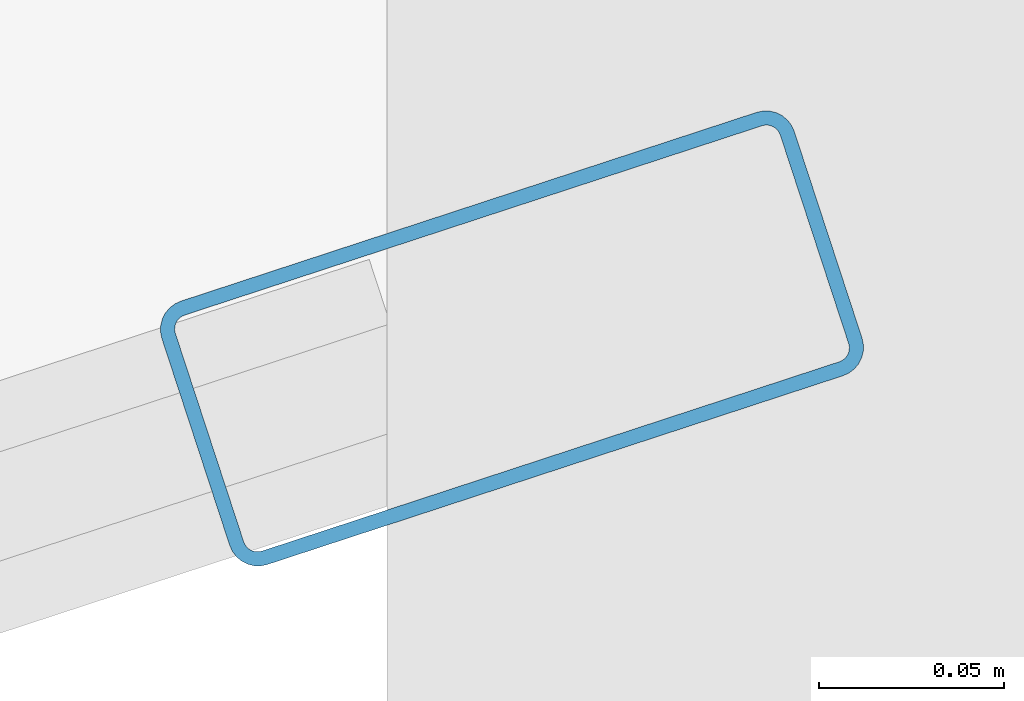
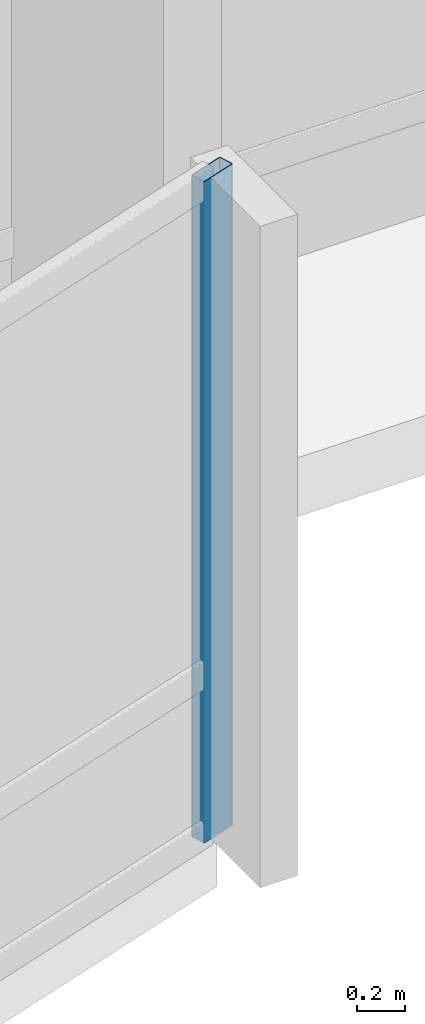
# One storey, part 10 of 34: 1 member, 1 element without a shape of its own.
"""IFC4 building model written with IfcOpenShell, lengths in metres."""

import ifcopenshell
import ifcopenshell.guid

model = None  # the IFC model being written
_history = None  # IfcOwnerHistory: only IFC2X3 demands one
_inside = {}  # id of a spatial element -> (the spatial element, [elements in it])
_under = {}  # id of a project, library or spatial element -> (it, [spatial elements below it])
_declared = {}  # id of a project -> (the project, [libraries it declares])
_typed = {}  # id of a type object -> (the type object, [elements of that type])
_made_of = {}  # id of a material, layer set ... -> (it, [elements and type objects made of it])


def new_model(schema):
    """Start an empty IFC model of exactly this schema.

    Asked for "IFC4X3", IfcOpenShell would pick the latest addendum, in which some entities
    have other attributes; the version numbers below select the first issue.
    IFC2X3 requires an IfcOwnerHistory on every rooted entity: one is made here for all.
    """
    global model, _history
    if schema == "IFC4X3":
        model = ifcopenshell.file(schema_version=(4, 3, 0, 0))
    else:
        model = ifcopenshell.file(schema=schema)
    _inside.clear()
    _under.clear()
    _declared.clear()
    _typed.clear()
    _made_of.clear()
    _history = None
    if model.schema == "IFC2X3":
        org = make("IfcOrganization", Name="unknown")
        user = make(
            "IfcPersonAndOrganization",
            ThePerson=make("IfcPerson", FamilyName="unknown"),
            TheOrganization=org,
        )
        app = make(
            "IfcApplication",
            ApplicationDeveloper=org,
            Version="unknown",
            ApplicationFullName="unknown",
            ApplicationIdentifier="unknown",
        )
        _history = make(
            "IfcOwnerHistory",
            OwningUser=user,
            OwningApplication=app,
            ChangeAction="ADDED",
            CreationDate=0,
        )
    return model


def make(cls, **values):
    """One entity of the class cls with the attributes given. An attribute that is None is left unset."""
    return model.create_entity(
        cls, **{name: value for name, value in values.items() if value is not None}
    )


def rooted(cls, **values):
    """An entity with a GlobalId (a new one), such as an element, a storey or a relation."""
    return make(cls, GlobalId=ifcopenshell.guid.new(), OwnerHistory=_history, **values)


def si_unit(unit_type, name, prefix=None):
    """IfcSIUnit, for example si_unit("LENGTHUNIT", "METRE", prefix="MILLI")."""
    return make("IfcSIUnit", UnitType=unit_type, Prefix=prefix, Name=name)


def assignment(units):
    """IfcUnitAssignment: the units of a project."""
    return None if units is None else make("IfcUnitAssignment", Units=units)


def point(xyz):
    """IfcCartesianPoint."""
    return None if xyz is None else make("IfcCartesianPoint", Coordinates=xyz)


def direction(xyz):
    """IfcDirection."""
    return None if xyz is None else make("IfcDirection", DirectionRatios=xyz)


def frame(location, z_axis=None, x_axis=None):
    """IfcAxis2Placement3D, a coordinate frame: its origin and axes. An axis left out is left unset."""
    return make(
        "IfcAxis2Placement3D",
        Location=point(location),
        Axis=direction(z_axis),
        RefDirection=direction(x_axis),
    )


def frame_2d(location, x_axis=None):
    """IfcAxis2Placement2D, a coordinate frame in the plane: its origin and x axis."""
    return make(
        "IfcAxis2Placement2D", Location=point(location), RefDirection=direction(x_axis)
    )


def origin():
    """The frame at (0, 0, 0) with its axes left unset."""
    return frame((0.0, 0.0, 0.0))


def origin_2d():
    """The frame at (0, 0) in the plane with its x axis left unset."""
    return frame_2d((0.0, 0.0))


def place(relative_to, where):
    """IfcLocalPlacement: puts the frame where relative to a parent placement (None: the world)."""
    return make(
        "IfcLocalPlacement", PlacementRelTo=relative_to, RelativePlacement=where
    )


def context(
    kind, dimensions, precision=None, world=None, true_north=None, identifier=None
):
    """IfcGeometricRepresentationContext, for example the 3D "Model" context."""
    return make(
        "IfcGeometricRepresentationContext",
        ContextIdentifier=identifier,
        ContextType=kind,
        CoordinateSpaceDimension=dimensions,
        Precision=precision,
        WorldCoordinateSystem=world,
        TrueNorth=true_north,
    )


def subcontext(parent, identifier, kind, view, scale=None):
    """IfcGeometricRepresentationSubContext, for example "Body" below "Model"."""
    return make(
        "IfcGeometricRepresentationSubContext",
        ContextIdentifier=identifier,
        ContextType=kind,
        ParentContext=parent,
        TargetScale=scale,
        TargetView=view,
    )


def project(units=None, contexts=None):
    """IfcProject with its units and contexts."""
    return rooted(
        "IfcProject",
        Name="project",
        RepresentationContexts=contexts,
        UnitsInContext=assignment(units),
    )


def spatial(cls, under=None, at=None, **own):
    """A site, building, storey or space (cls), placed at a placement, below another one or the project."""
    s = rooted(cls, ObjectPlacement=at, **own)
    if under is not None:
        _under.setdefault(under.id(), (under, []))[1].append(s)
    return s


def profile(cls, at=None, kind="AREA", **sizes):
    """A parametric profile (cls). Its sizes go by their IFC names, for example OverallWidth=200.0."""
    return make(cls, ProfileType=kind, Position=at, **sizes)


def hollow_rectangle(**sizes):
    """IfcRectangleHollowProfileDef."""
    return profile("IfcRectangleHollowProfileDef", **sizes)


def extrude(swept, where, along, depth):
    """IfcExtrudedAreaSolid: the profile swept, set in the frame where, extruded along a direction by depth."""
    return make(
        "IfcExtrudedAreaSolid",
        SweptArea=swept,
        Position=where,
        ExtrudedDirection=direction(along),
        Depth=depth,
    )


def shape(context_of_items, identifier, shape_type, items):
    """IfcShapeRepresentation: the items that make up one representation, for example the "Body"."""
    return make(
        "IfcShapeRepresentation",
        ContextOfItems=context_of_items,
        RepresentationIdentifier=identifier,
        RepresentationType=shape_type,
        Items=items,
    )


def material(Name=None, Category=None):
    """IfcMaterial."""
    return make("IfcMaterial", Name=Name, Category=Category)


def layer(
    of_material, thickness, ventilated=None, Name=None, Category=None, Priority=None
):
    """IfcMaterialLayer: one layer of a wall or slab, of a material (None: an air gap)."""
    return make(
        "IfcMaterialLayer",
        Material=of_material,
        LayerThickness=thickness,
        IsVentilated=ventilated,
        Name=Name,
        Category=Category,
        Priority=Priority,
    )


def layer_set(layers, Name=None):
    """IfcMaterialLayerSet."""
    return make("IfcMaterialLayerSet", MaterialLayers=layers, LayerSetName=Name)


def material_profile(
    of_material, cross_section, Name=None, Category=None, Priority=None
):
    """IfcMaterialProfile: a cross section and its material."""
    return make(
        "IfcMaterialProfile",
        Name=Name,
        Material=of_material,
        Profile=cross_section,
        Priority=Priority,
        Category=Category,
    )


def profile_set(profiles, Name=None, composite=None):
    """IfcMaterialProfileSet."""
    return make(
        "IfcMaterialProfileSet",
        Name=Name,
        MaterialProfiles=profiles,
        CompositeProfile=composite,
    )


def made_of(thing, what):
    """Note that an element or type object is made of a material, layer set ...; save() writes the relation."""
    if what is not None:
        _made_of.setdefault(what.id(), (what, []))[1].append(thing)
    return thing


def type_object(cls, material=None, **own):
    """A type object (cls), such as IfcWallType, which elements share."""
    return made_of(rooted(cls, **own), material)


def element(
    cls,
    number,
    at=None,
    inside=None,
    cuts=None,
    type_object=None,
    material=None,
    context=None,
    identifier="Body",
    shape_type=None,
    held_by="IfcProductDefinitionShape",
    body=None,
    shapes=None,
    **own,
):
    """One element of the class cls, such as IfcWall. Its Tag is "e" and its number.

    at: its placement. inside: the storey or other place that contains it. cuts: it is an
    opening in that element (IfcRelVoidsElement). A single representation is given by context,
    identifier, shape_type and body (its items); several are given by shapes. held_by: the class
    of the entity that holds the representations. save() writes the other relations.
    """
    e = rooted(cls, Tag="e%d" % number, ObjectPlacement=at, **own)
    if body is not None:
        shapes = [shape(context, identifier, shape_type, body)]
    if shapes is not None:
        e.Representation = make(held_by, Representations=shapes)
    if inside is not None:
        _inside.setdefault(inside.id(), (inside, []))[1].append(e)
    if cuts is not None:
        rooted(
            "IfcRelVoidsElement", RelatingBuildingElement=cuts, RelatedOpeningElement=e
        )
    if type_object is not None:
        _typed.setdefault(type_object.id(), (type_object, []))[1].append(e)
    return made_of(e, material)


def aggregate(whole, parts):
    """IfcRelAggregates: a whole, such as a stair, and the parts it consists of."""
    return rooted("IfcRelAggregates", RelatingObject=whole, RelatedObjects=parts)


def save(model, path):
    """Write the relations noted so far, then the file.

    IfcRelAggregates (storeys below a building ...), IfcRelContainedInSpatialStructure (elements
    in a storey), IfcRelDefinesByType, IfcRelAssociatesMaterial and IfcRelDeclares: one each for
    every whole, place, type object, material and project.
    """
    for whole, parts in _under.values():
        aggregate(whole, parts)
    for where, things in _inside.values():
        rooted(
            "IfcRelContainedInSpatialStructure",
            RelatedElements=things,
            RelatingStructure=where,
        )
    for kind, things in _typed.values():
        rooted("IfcRelDefinesByType", RelatedObjects=things, RelatingType=kind)
    for what, things in _made_of.values():
        rooted("IfcRelAssociatesMaterial", RelatedObjects=things, RelatingMaterial=what)
    for by, libraries in _declared.values():
        rooted("IfcRelDeclares", RelatingContext=by, RelatedDefinitions=libraries)
    model.write(path)


model = new_model("IFC4")

# Units and contexts
model_context = context("Model", 3, precision=1e-05, world=origin(), true_north=direction((0.0, 1.0)))
body_context = subcontext(model_context, "Body", "Model", "MODEL_VIEW")
ifc_project = project(units=[si_unit("LENGTHUNIT", "METRE"), si_unit("AREAUNIT", "SQUARE_METRE"), si_unit("VOLUMEUNIT", "CUBIC_METRE"), si_unit("PLANEANGLEUNIT", "RADIAN"), si_unit("MASSUNIT", "GRAM", prefix="KILO")], contexts=[model_context])

# Site, building, storey
site_placement = place(None, origin())
site = spatial("IfcSite", under=ifc_project, at=site_placement, CompositionType="ELEMENT")
building_placement = place(site_placement, origin())
building = spatial("IfcBuilding", under=site, at=building_placement, Name="Solvaryn Broadcast Tower", CompositionType="ELEMENT")
storey_placement = place(building_placement, frame((0.0, 0.0, 96.5)))
storey = spatial("IfcBuildingStorey", under=building, at=storey_placement, Name="L23", CompositionType="ELEMENT", Elevation=96.5)

# Curtain wall, member
ifc_material_1 = material(Name="Aluminium and Terracotta Unitised Curtain Wall", Category="masonry")
ifc_layer = layer(ifc_material_1, 0.199951171875)
ifc_layer_set = layer_set([ifc_layer], Name="CW-SYS2-LOWMID")
curtain_wall_type = type_object("IfcCurtainWallType", Name="CW-SYS2-LOWMID", PredefinedType="NOTDEFINED", material=ifc_layer_set)
curtain_wall_placement = place(storey_placement, origin())
curtain_wall = element("IfcCurtainWall", 1, at=curtain_wall_placement, inside=storey, type_object=curtain_wall_type, Name="L23 Curtain Wall DR4", PredefinedType="NOTDEFINED")
ifc_material_2 = material(Name="Anodised Aluminium 6063-T6", Category="aluminium")
ifc_material_profile = material_profile(ifc_material_2, hollow_rectangle(XDim=0.074951171875, YDim=0.179931640625, WallThickness=0.00390625, InnerFilletRadius=0.00390625, OuterFilletRadius=0.008056640625, at=origin_2d()))
ifc_profile_set = profile_set([ifc_material_profile], Name="Anodised Aluminium 6063-T6")
member_type = type_object("IfcMemberType", Name="CW-MUL-180", PredefinedType="MULLION", material=ifc_profile_set)
member_placement = place(storey_placement, frame((45.987548828125, 5.90673828125, 0.0), z_axis=(0.0, 0.0, 1.0), x_axis=(-0.311594044587, 0.950215318429, 0.0)))
member = element("IfcMember", 2, at=member_placement, type_object=member_type, Name="CWS2 mullion 2", PredefinedType="MULLION", context=body_context, shape_type="SweptSolid", body=[
    extrude(hollow_rectangle(XDim=0.074951171875, YDim=0.179931640625, WallThickness=0.00390625, InnerFilletRadius=0.00390625, OuterFilletRadius=0.008056640625, at=origin_2d()), origin(), (0.0, 0.0, 1.0), 3.3701171875),
])
aggregate(curtain_wall, [member])

save(model, "model.ifc")
